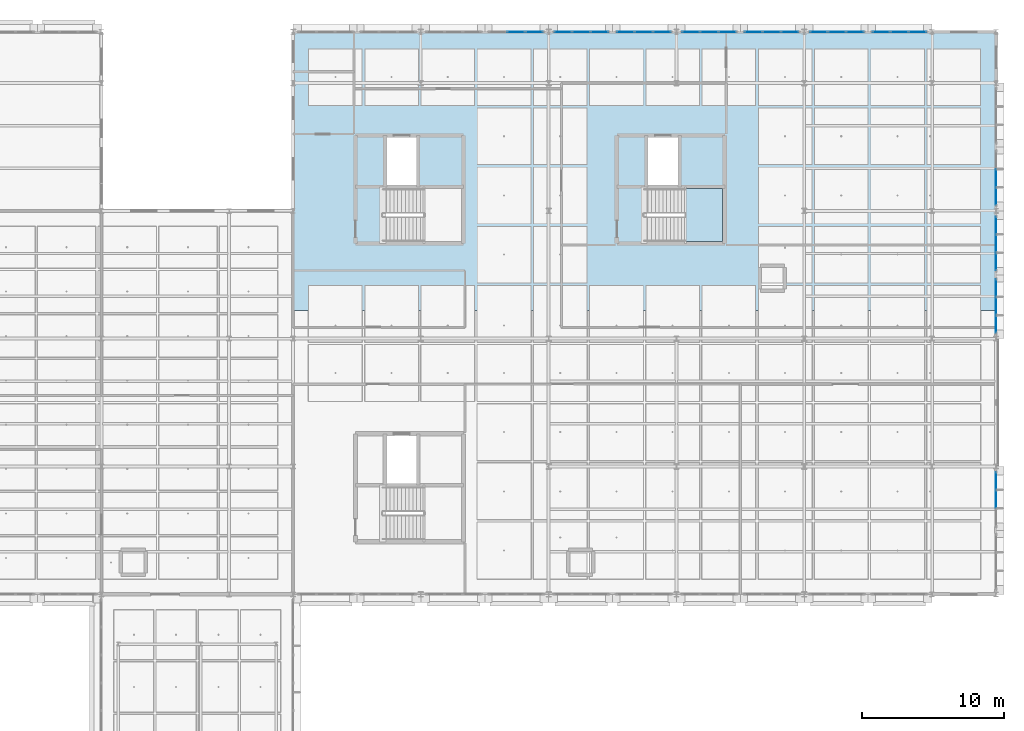
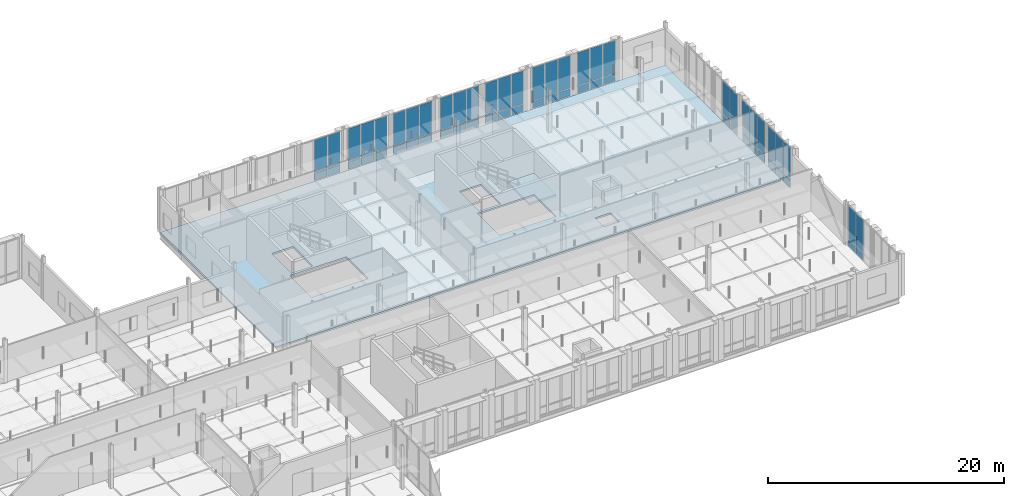
# One storey, part 61 of 130: 60 plates, 2 slabs, 12 elements without a shape of their own.
"""IFC4 building model written with IfcOpenShell, lengths in metres."""

from ifc_helpers import new_model, si_unit, direction, frame, origin, origin_2d, place, context, subcontext, project, spatial, polyline, rectangle, outline, extrude, material, layer, layer_set, type_object, element, aggregate, save


model = new_model("IFC4")

# Units and contexts
model_context = context("Model", 3, precision=1e-05, world=origin(), true_north=direction((0.0, 1.0)))
body_context = subcontext(model_context, "Body", "Model", "MODEL_VIEW")
ifc_project = project(units=[si_unit("LENGTHUNIT", "METRE"), si_unit("AREAUNIT", "SQUARE_METRE"), si_unit("VOLUMEUNIT", "CUBIC_METRE"), si_unit("PLANEANGLEUNIT", "RADIAN"), si_unit("MASSUNIT", "GRAM", prefix="KILO"), si_unit("THERMODYNAMICTEMPERATUREUNIT", "KELVIN"), si_unit("POWERUNIT", "WATT")], contexts=[model_context])

# Site, building, storey
site_placement = place(None, origin())
site = spatial("IfcSite", under=ifc_project, at=site_placement, CompositionType="ELEMENT")
building_placement = place(site_placement, origin())
building = spatial("IfcBuilding", under=site, at=building_placement, Name="Tallowbark Science Centre", CompositionType="ELEMENT")
storey_placement = place(building_placement, frame((0.0, 0.0, 5.39990234375)))
storey = spatial("IfcBuildingStorey", under=building, at=storey_placement, Name="L01", CompositionType="ELEMENT", Elevation=5.39990234375)

# Curtain wall, plates
ifc_material_1 = material(Name="Unitised Thermally Broken Aluminium and Low-E Double Glazing", Category="aluminium")
curtain_wall_type = type_object("IfcCurtainWallType", Name="CW-SYS-FACADE", PredefinedType="NOTDEFINED", material=ifc_material_1)
curtain_wall_1_placement = place(storey_placement, origin())
curtain_wall_1 = element("IfcCurtainWall", 1, at=curtain_wall_1_placement, inside=storey, type_object=curtain_wall_type, Name="Unitised Curtain Wall OBS-N-121A CW-L01-118", PredefinedType="NOTDEFINED")
ifc_material_2 = material(Name="Double Glazed Argon Low-E Vision Glass", Category="glass")
ifc_layer_1 = layer(ifc_material_2, 0.028076171875)
ifc_layer_set_1 = layer_set([ifc_layer_1], Name="Double Glazed Argon Low-E Vision Glass")
plate_type_1 = type_object("IfcPlateType", Name="CWP-GLZ-28", PredefinedType="CURTAIN_PANEL", material=ifc_layer_set_1)
plate_1_placement = place(storey_placement, frame((129.483642578125, 111.60009765625, 0.05517578125), z_axis=(0.0, 0.0, 1.0), x_axis=(-1.0, 0.0, 0.0)))
plate_1 = element("IfcPlate", 2, at=plate_1_placement, type_object=plate_type_1, Name="CW-01 panel 1.1", PredefinedType="CURTAIN_PANEL", context=body_context, shape_type="SweptSolid", body=[
    extrude(rectangle(XDim=1.202392578125, YDim=0.028076171875, at=origin_2d()), origin(), (0.0, 0.0, 1.0), 0.767578125),
])
plate_2_placement = place(storey_placement, frame((129.483642578125, 111.60009765625, 0.87744140625), z_axis=(0.0, 0.0, 1.0), x_axis=(-1.0, 0.0, 0.0)))
plate_2 = element("IfcPlate", 3, at=plate_2_placement, type_object=plate_type_1, Name="CW-01 panel 1.2", PredefinedType="CURTAIN_PANEL", context=body_context, shape_type="SweptSolid", body=[
    extrude(rectangle(XDim=1.202392578125, YDim=0.028076171875, at=origin_2d()), origin(), (0.0, 0.0, 1.0), 3.387451171875),
])
plate_3_placement = place(storey_placement, frame((128.199951171875, 111.60009765625, 0.05517578125), z_axis=(0.0, 0.0, 1.0), x_axis=(-1.0, 0.0, 0.0)))
plate_3 = element("IfcPlate", 4, at=plate_3_placement, type_object=plate_type_1, Name="CW-01 panel 2.1", PredefinedType="CURTAIN_PANEL", context=body_context, shape_type="SweptSolid", body=[
    extrude(rectangle(XDim=1.235107421875, YDim=0.028076171875, at=origin_2d()), origin(), (0.0, 0.0, 1.0), 0.767578125),
])
plate_4_placement = place(storey_placement, frame((128.199951171875, 111.60009765625, 0.87744140625), z_axis=(0.0, 0.0, 1.0), x_axis=(-1.0, 0.0, 0.0)))
plate_4 = element("IfcPlate", 5, at=plate_4_placement, type_object=plate_type_1, Name="CW-01 panel 2.2", PredefinedType="CURTAIN_PANEL", context=body_context, shape_type="SweptSolid", body=[
    extrude(rectangle(XDim=1.235107421875, YDim=0.028076171875, at=origin_2d()), origin(), (0.0, 0.0, 1.0), 3.387451171875),
])
aggregate(curtain_wall_1, [plate_1, plate_2, plate_3, plate_4])

curtain_wall_2_placement = place(storey_placement, origin())
curtain_wall_2 = element("IfcCurtainWall", 6, at=curtain_wall_2_placement, inside=storey, type_object=curtain_wall_type, Name="Unitised Curtain Wall OBS-N-130A CW-L01-122", PredefinedType="NOTDEFINED")
plate_5_placement = place(storey_placement, frame((138.483642578125, 111.60009765625, 0.05517578125), z_axis=(0.0, 0.0, 1.0), x_axis=(-1.0, 0.0, 0.0)))
plate_5 = element("IfcPlate", 7, at=plate_5_placement, type_object=plate_type_1, Name="CW-01 panel 1.1", PredefinedType="CURTAIN_PANEL", context=body_context, shape_type="SweptSolid", body=[
    extrude(rectangle(XDim=1.202392578125, YDim=0.028076171875, at=origin_2d()), origin(), (0.0, 0.0, 1.0), 0.767578125),
])
plate_6_placement = place(storey_placement, frame((138.483642578125, 111.60009765625, 0.87744140625), z_axis=(0.0, 0.0, 1.0), x_axis=(-1.0, 0.0, 0.0)))
plate_6 = element("IfcPlate", 8, at=plate_6_placement, type_object=plate_type_1, Name="CW-01 panel 1.2", PredefinedType="CURTAIN_PANEL", context=body_context, shape_type="SweptSolid", body=[
    extrude(rectangle(XDim=1.202392578125, YDim=0.028076171875, at=origin_2d()), origin(), (0.0, 0.0, 1.0), 3.387451171875),
])
plate_7_placement = place(storey_placement, frame((137.199951171875, 111.60009765625, 0.05517578125), z_axis=(0.0, 0.0, 1.0), x_axis=(-1.0, 0.0, 0.0)))
plate_7 = element("IfcPlate", 9, at=plate_7_placement, type_object=plate_type_1, Name="CW-01 panel 2.1", PredefinedType="CURTAIN_PANEL", context=body_context, shape_type="SweptSolid", body=[
    extrude(rectangle(XDim=1.235107421875, YDim=0.028076171875, at=origin_2d()), origin(), (0.0, 0.0, 1.0), 0.767578125),
])
plate_8_placement = place(storey_placement, frame((137.199951171875, 111.60009765625, 0.87744140625), z_axis=(0.0, 0.0, 1.0), x_axis=(-1.0, 0.0, 0.0)))
plate_8 = element("IfcPlate", 10, at=plate_8_placement, type_object=plate_type_1, Name="CW-01 panel 2.2", PredefinedType="CURTAIN_PANEL", context=body_context, shape_type="SweptSolid", body=[
    extrude(rectangle(XDim=1.235107421875, YDim=0.028076171875, at=origin_2d()), origin(), (0.0, 0.0, 1.0), 3.387451171875),
])
plate_9_placement = place(storey_placement, frame((135.916259765625, 111.60009765625, 0.05517578125), z_axis=(0.0, 0.0, 1.0), x_axis=(-1.0, 0.0, 0.0)))
plate_9 = element("IfcPlate", 11, at=plate_9_placement, type_object=plate_type_1, Name="CW-01 panel 3.1", PredefinedType="CURTAIN_PANEL", context=body_context, shape_type="SweptSolid", body=[
    extrude(rectangle(XDim=1.202392578125, YDim=0.028076171875, at=origin_2d()), origin(), (0.0, 0.0, 1.0), 0.767578125),
])
plate_10_placement = place(storey_placement, frame((135.916259765625, 111.60009765625, 0.87744140625), z_axis=(0.0, 0.0, 1.0), x_axis=(-1.0, 0.0, 0.0)))
plate_10 = element("IfcPlate", 12, at=plate_10_placement, type_object=plate_type_1, Name="CW-01 panel 3.2", PredefinedType="CURTAIN_PANEL", context=body_context, shape_type="SweptSolid", body=[
    extrude(rectangle(XDim=1.202392578125, YDim=0.028076171875, at=origin_2d()), origin(), (0.0, 0.0, 1.0), 3.387451171875),
])
aggregate(curtain_wall_2, [plate_5, plate_6, plate_7, plate_8, plate_9, plate_10])

curtain_wall_3_placement = place(storey_placement, origin())
curtain_wall_3 = element("IfcCurtainWall", 13, at=curtain_wall_3_placement, inside=storey, type_object=curtain_wall_type, Name="Unitised Curtain Wall OBS-N-139B CW-L01-127", PredefinedType="NOTDEFINED")
plate_11_placement = place(storey_placement, frame((143.083740234375, 111.60009765625, 0.05517578125), z_axis=(0.0, 0.0, 1.0), x_axis=(-1.0, 0.0, 0.0)))
plate_11 = element("IfcPlate", 14, at=plate_11_placement, type_object=plate_type_1, Name="CW-01 panel 1.1", PredefinedType="CURTAIN_PANEL", context=body_context, shape_type="SweptSolid", body=[
    extrude(rectangle(XDim=1.202392578125, YDim=0.028076171875, at=origin_2d()), origin(), (0.0, 0.0, 1.0), 0.767578125),
])
plate_12_placement = place(storey_placement, frame((143.083740234375, 111.60009765625, 0.87744140625), z_axis=(0.0, 0.0, 1.0), x_axis=(-1.0, 0.0, 0.0)))
plate_12 = element("IfcPlate", 15, at=plate_12_placement, type_object=plate_type_1, Name="CW-01 panel 1.2", PredefinedType="CURTAIN_PANEL", context=body_context, shape_type="SweptSolid", body=[
    extrude(rectangle(XDim=1.202392578125, YDim=0.028076171875, at=origin_2d()), origin(), (0.0, 0.0, 1.0), 3.387451171875),
])
plate_13_placement = place(storey_placement, frame((141.800048828125, 111.60009765625, 0.05517578125), z_axis=(0.0, 0.0, 1.0), x_axis=(-1.0, 0.0, 0.0)))
plate_13 = element("IfcPlate", 16, at=plate_13_placement, type_object=plate_type_1, Name="CW-01 panel 2.1", PredefinedType="CURTAIN_PANEL", context=body_context, shape_type="SweptSolid", body=[
    extrude(rectangle(XDim=1.235107421875, YDim=0.028076171875, at=origin_2d()), origin(), (0.0, 0.0, 1.0), 0.767578125),
])
plate_14_placement = place(storey_placement, frame((141.800048828125, 111.60009765625, 0.87744140625), z_axis=(0.0, 0.0, 1.0), x_axis=(-1.0, 0.0, 0.0)))
plate_14 = element("IfcPlate", 17, at=plate_14_placement, type_object=plate_type_1, Name="CW-01 panel 2.2", PredefinedType="CURTAIN_PANEL", context=body_context, shape_type="SweptSolid", body=[
    extrude(rectangle(XDim=1.235107421875, YDim=0.028076171875, at=origin_2d()), origin(), (0.0, 0.0, 1.0), 3.387451171875),
])
plate_15_placement = place(storey_placement, frame((140.516357421875, 111.60009765625, 0.05517578125), z_axis=(0.0, 0.0, 1.0), x_axis=(-1.0, 0.0, 0.0)))
plate_15 = element("IfcPlate", 18, at=plate_15_placement, type_object=plate_type_1, Name="CW-01 panel 3.1", PredefinedType="CURTAIN_PANEL", context=body_context, shape_type="SweptSolid", body=[
    extrude(rectangle(XDim=1.202392578125, YDim=0.028076171875, at=origin_2d()), origin(), (0.0, 0.0, 1.0), 0.767578125),
])
plate_16_placement = place(storey_placement, frame((140.516357421875, 111.60009765625, 0.87744140625), z_axis=(0.0, 0.0, 1.0), x_axis=(-1.0, 0.0, 0.0)))
plate_16 = element("IfcPlate", 19, at=plate_16_placement, type_object=plate_type_1, Name="CW-01 panel 3.2", PredefinedType="CURTAIN_PANEL", context=body_context, shape_type="SweptSolid", body=[
    extrude(rectangle(XDim=1.202392578125, YDim=0.028076171875, at=origin_2d()), origin(), (0.0, 0.0, 1.0), 3.387451171875),
])
aggregate(curtain_wall_3, [plate_11, plate_12, plate_13, plate_14, plate_15, plate_16])

curtain_wall_4_placement = place(storey_placement, origin())
curtain_wall_4 = element("IfcCurtainWall", 20, at=curtain_wall_4_placement, inside=storey, type_object=curtain_wall_type, Name="Unitised Curtain Wall OBS-N-148A CW-L01-130", PredefinedType="NOTDEFINED")
plate_17_placement = place(storey_placement, frame((156.483642578125, 111.60009765625, 0.05517578125), z_axis=(0.0, 0.0, 1.0), x_axis=(-1.0, 0.0, 0.0)))
plate_17 = element("IfcPlate", 21, at=plate_17_placement, type_object=plate_type_1, Name="CW-01 panel 1.1", PredefinedType="CURTAIN_PANEL", context=body_context, shape_type="SweptSolid", body=[
    extrude(rectangle(XDim=1.202392578125, YDim=0.028076171875, at=origin_2d()), origin(), (0.0, 0.0, 1.0), 0.767578125),
])
plate_18_placement = place(storey_placement, frame((156.483642578125, 111.60009765625, 0.87744140625), z_axis=(0.0, 0.0, 1.0), x_axis=(-1.0, 0.0, 0.0)))
plate_18 = element("IfcPlate", 22, at=plate_18_placement, type_object=plate_type_1, Name="CW-01 panel 1.2", PredefinedType="CURTAIN_PANEL", context=body_context, shape_type="SweptSolid", body=[
    extrude(rectangle(XDim=1.202392578125, YDim=0.028076171875, at=origin_2d()), origin(), (0.0, 0.0, 1.0), 3.387451171875),
])
plate_19_placement = place(storey_placement, frame((155.199951171875, 111.60009765625, 0.05517578125), z_axis=(0.0, 0.0, 1.0), x_axis=(-1.0, 0.0, 0.0)))
plate_19 = element("IfcPlate", 23, at=plate_19_placement, type_object=plate_type_1, Name="CW-01 panel 2.1", PredefinedType="CURTAIN_PANEL", context=body_context, shape_type="SweptSolid", body=[
    extrude(rectangle(XDim=1.235107421875, YDim=0.028076171875, at=origin_2d()), origin(), (0.0, 0.0, 1.0), 0.767578125),
])
plate_20_placement = place(storey_placement, frame((155.199951171875, 111.60009765625, 0.87744140625), z_axis=(0.0, 0.0, 1.0), x_axis=(-1.0, 0.0, 0.0)))
plate_20 = element("IfcPlate", 24, at=plate_20_placement, type_object=plate_type_1, Name="CW-01 panel 2.2", PredefinedType="CURTAIN_PANEL", context=body_context, shape_type="SweptSolid", body=[
    extrude(rectangle(XDim=1.235107421875, YDim=0.028076171875, at=origin_2d()), origin(), (0.0, 0.0, 1.0), 3.387451171875),
])
plate_21_placement = place(storey_placement, frame((153.916259765625, 111.60009765625, 0.05517578125), z_axis=(0.0, 0.0, 1.0), x_axis=(-1.0, 0.0, 0.0)))
plate_21 = element("IfcPlate", 25, at=plate_21_placement, type_object=plate_type_1, Name="CW-01 panel 3.1", PredefinedType="CURTAIN_PANEL", context=body_context, shape_type="SweptSolid", body=[
    extrude(rectangle(XDim=1.202392578125, YDim=0.028076171875, at=origin_2d()), origin(), (0.0, 0.0, 1.0), 0.767578125),
])
plate_22_placement = place(storey_placement, frame((153.916259765625, 111.60009765625, 0.87744140625), z_axis=(0.0, 0.0, 1.0), x_axis=(-1.0, 0.0, 0.0)))
plate_22 = element("IfcPlate", 26, at=plate_22_placement, type_object=plate_type_1, Name="CW-01 panel 3.2", PredefinedType="CURTAIN_PANEL", context=body_context, shape_type="SweptSolid", body=[
    extrude(rectangle(XDim=1.202392578125, YDim=0.028076171875, at=origin_2d()), origin(), (0.0, 0.0, 1.0), 3.387451171875),
])
aggregate(curtain_wall_4, [plate_17, plate_18, plate_19, plate_20, plate_21, plate_22])

curtain_wall_5_placement = place(storey_placement, origin())
curtain_wall_5 = element("IfcCurtainWall", 27, at=curtain_wall_5_placement, inside=storey, type_object=curtain_wall_type, Name="Unitised Curtain Wall OBS-N-148B CW-L01-131", PredefinedType="NOTDEFINED")
plate_23_placement = place(storey_placement, frame((152.083740234375, 111.60009765625, 0.05517578125), z_axis=(0.0, 0.0, 1.0), x_axis=(-1.0, 0.0, 0.0)))
plate_23 = element("IfcPlate", 28, at=plate_23_placement, type_object=plate_type_1, Name="CW-01 panel 1.1", PredefinedType="CURTAIN_PANEL", context=body_context, shape_type="SweptSolid", body=[
    extrude(rectangle(XDim=1.202392578125, YDim=0.028076171875, at=origin_2d()), origin(), (0.0, 0.0, 1.0), 0.767578125),
])
plate_24_placement = place(storey_placement, frame((152.083740234375, 111.60009765625, 0.87744140625), z_axis=(0.0, 0.0, 1.0), x_axis=(-1.0, 0.0, 0.0)))
plate_24 = element("IfcPlate", 29, at=plate_24_placement, type_object=plate_type_1, Name="CW-01 panel 1.2", PredefinedType="CURTAIN_PANEL", context=body_context, shape_type="SweptSolid", body=[
    extrude(rectangle(XDim=1.202392578125, YDim=0.028076171875, at=origin_2d()), origin(), (0.0, 0.0, 1.0), 3.387451171875),
])
plate_25_placement = place(storey_placement, frame((150.800048828125, 111.60009765625, 0.05517578125), z_axis=(0.0, 0.0, 1.0), x_axis=(-1.0, 0.0, 0.0)))
plate_25 = element("IfcPlate", 30, at=plate_25_placement, type_object=plate_type_1, Name="CW-01 panel 2.1", PredefinedType="CURTAIN_PANEL", context=body_context, shape_type="SweptSolid", body=[
    extrude(rectangle(XDim=1.235107421875, YDim=0.028076171875, at=origin_2d()), origin(), (0.0, 0.0, 1.0), 0.767578125),
])
plate_26_placement = place(storey_placement, frame((150.800048828125, 111.60009765625, 0.87744140625), z_axis=(0.0, 0.0, 1.0), x_axis=(-1.0, 0.0, 0.0)))
plate_26 = element("IfcPlate", 31, at=plate_26_placement, type_object=plate_type_1, Name="CW-01 panel 2.2", PredefinedType="CURTAIN_PANEL", context=body_context, shape_type="SweptSolid", body=[
    extrude(rectangle(XDim=1.235107421875, YDim=0.028076171875, at=origin_2d()), origin(), (0.0, 0.0, 1.0), 3.387451171875),
])
plate_27_placement = place(storey_placement, frame((149.516357421875, 111.60009765625, 0.05517578125), z_axis=(0.0, 0.0, 1.0), x_axis=(-1.0, 0.0, 0.0)))
plate_27 = element("IfcPlate", 32, at=plate_27_placement, type_object=plate_type_1, Name="CW-01 panel 3.1", PredefinedType="CURTAIN_PANEL", context=body_context, shape_type="SweptSolid", body=[
    extrude(rectangle(XDim=1.202392578125, YDim=0.028076171875, at=origin_2d()), origin(), (0.0, 0.0, 1.0), 0.767578125),
])
plate_28_placement = place(storey_placement, frame((149.516357421875, 111.60009765625, 0.87744140625), z_axis=(0.0, 0.0, 1.0), x_axis=(-1.0, 0.0, 0.0)))
plate_28 = element("IfcPlate", 33, at=plate_28_placement, type_object=plate_type_1, Name="CW-01 panel 3.2", PredefinedType="CURTAIN_PANEL", context=body_context, shape_type="SweptSolid", body=[
    extrude(rectangle(XDim=1.202392578125, YDim=0.028076171875, at=origin_2d()), origin(), (0.0, 0.0, 1.0), 3.387451171875),
])
aggregate(curtain_wall_5, [plate_23, plate_24, plate_25, plate_26, plate_27, plate_28])

curtain_wall_6_placement = place(storey_placement, origin())
curtain_wall_6 = element("IfcCurtainWall", 34, at=curtain_wall_6_placement, inside=storey, type_object=curtain_wall_type, Name="Unitised Curtain Wall OBS-E-72B CW-L01-133", PredefinedType="NOTDEFINED")
plate_29_placement = place(storey_placement, frame((162.0, 78.699951171875, 0.05517578125), z_axis=(0.0, 0.0, 1.0), x_axis=(0.0, 1.0, 0.0)))
plate_29 = element("IfcPlate", 35, at=plate_29_placement, type_object=plate_type_1, Name="CW-01 panel 2.1", PredefinedType="CURTAIN_PANEL", context=body_context, shape_type="SweptSolid", body=[
    extrude(rectangle(XDim=1.235107421875, YDim=0.028076171875, at=origin_2d()), origin(), (0.0, 0.0, 1.0), 0.767578125),
])
plate_30_placement = place(storey_placement, frame((162.0, 78.699951171875, 0.87744140625), z_axis=(0.0, 0.0, 1.0), x_axis=(0.0, 1.0, 0.0)))
plate_30 = element("IfcPlate", 36, at=plate_30_placement, type_object=plate_type_1, Name="CW-01 panel 2.2", PredefinedType="CURTAIN_PANEL", context=body_context, shape_type="SweptSolid", body=[
    extrude(rectangle(XDim=1.235107421875, YDim=0.028076171875, at=origin_2d()), origin(), (0.0, 0.0, 1.0), 3.387451171875),
])
plate_31_placement = place(storey_placement, frame((162.0, 79.983642578125, 0.05517578125), z_axis=(0.0, 0.0, 1.0), x_axis=(0.0, 1.0, 0.0)))
plate_31 = element("IfcPlate", 37, at=plate_31_placement, type_object=plate_type_1, Name="CW-01 panel 3.1", PredefinedType="CURTAIN_PANEL", context=body_context, shape_type="SweptSolid", body=[
    extrude(rectangle(XDim=1.202392578125, YDim=0.028076171875, at=origin_2d()), origin(), (0.0, 0.0, 1.0), 0.767578125),
])
plate_32_placement = place(storey_placement, frame((162.0, 79.983642578125, 0.87744140625), z_axis=(0.0, 0.0, 1.0), x_axis=(0.0, 1.0, 0.0)))
plate_32 = element("IfcPlate", 38, at=plate_32_placement, type_object=plate_type_1, Name="CW-01 panel 3.2", PredefinedType="CURTAIN_PANEL", context=body_context, shape_type="SweptSolid", body=[
    extrude(rectangle(XDim=1.202392578125, YDim=0.028076171875, at=origin_2d()), origin(), (0.0, 0.0, 1.0), 3.387451171875),
])
aggregate(curtain_wall_6, [plate_29, plate_30, plate_31, plate_32])

curtain_wall_7_placement = place(storey_placement, origin())
curtain_wall_7 = element("IfcCurtainWall", 39, at=curtain_wall_7_placement, inside=storey, type_object=curtain_wall_type, Name="Unitised Curtain Wall OBS-E-90A CW-L01-134", PredefinedType="NOTDEFINED")
plate_33_placement = place(storey_placement, frame((162.0, 91.016357421875, 0.05517578125), z_axis=(0.0, 0.0, 1.0), x_axis=(0.0, 1.0, 0.0)))
plate_33 = element("IfcPlate", 40, at=plate_33_placement, type_object=plate_type_1, Name="CW-01 panel 1.1", PredefinedType="CURTAIN_PANEL", context=body_context, shape_type="SweptSolid", body=[
    extrude(rectangle(XDim=1.202392578125, YDim=0.028076171875, at=origin_2d()), origin(), (0.0, 0.0, 1.0), 0.767578125),
])
plate_34_placement = place(storey_placement, frame((162.0, 91.016357421875, 0.87744140625), z_axis=(0.0, 0.0, 1.0), x_axis=(0.0, 1.0, 0.0)))
plate_34 = element("IfcPlate", 41, at=plate_34_placement, type_object=plate_type_1, Name="CW-01 panel 1.2", PredefinedType="CURTAIN_PANEL", context=body_context, shape_type="SweptSolid", body=[
    extrude(rectangle(XDim=1.202392578125, YDim=0.028076171875, at=origin_2d()), origin(), (0.0, 0.0, 1.0), 3.387451171875),
])
plate_35_placement = place(storey_placement, frame((162.0, 92.300048828125, 0.05517578125), z_axis=(0.0, 0.0, 1.0), x_axis=(0.0, 1.0, 0.0)))
plate_35 = element("IfcPlate", 42, at=plate_35_placement, type_object=plate_type_1, Name="CW-01 panel 2.1", PredefinedType="CURTAIN_PANEL", context=body_context, shape_type="SweptSolid", body=[
    extrude(rectangle(XDim=1.235107421875, YDim=0.028076171875, at=origin_2d()), origin(), (0.0, 0.0, 1.0), 0.767578125),
])
plate_36_placement = place(storey_placement, frame((162.0, 92.300048828125, 0.87744140625), z_axis=(0.0, 0.0, 1.0), x_axis=(0.0, 1.0, 0.0)))
plate_36 = element("IfcPlate", 43, at=plate_36_placement, type_object=plate_type_1, Name="CW-01 panel 2.2", PredefinedType="CURTAIN_PANEL", context=body_context, shape_type="SweptSolid", body=[
    extrude(rectangle(XDim=1.235107421875, YDim=0.028076171875, at=origin_2d()), origin(), (0.0, 0.0, 1.0), 3.387451171875),
])
plate_37_placement = place(storey_placement, frame((162.0, 93.583740234375, 0.05517578125), z_axis=(0.0, 0.0, 1.0), x_axis=(0.0, 1.0, 0.0)))
plate_37 = element("IfcPlate", 44, at=plate_37_placement, type_object=plate_type_1, Name="CW-01 panel 3.1", PredefinedType="CURTAIN_PANEL", context=body_context, shape_type="SweptSolid", body=[
    extrude(rectangle(XDim=1.202392578125, YDim=0.028076171875, at=origin_2d()), origin(), (0.0, 0.0, 1.0), 0.767578125),
])
plate_38_placement = place(storey_placement, frame((162.0, 93.583740234375, 0.87744140625), z_axis=(0.0, 0.0, 1.0), x_axis=(0.0, 1.0, 0.0)))
plate_38 = element("IfcPlate", 45, at=plate_38_placement, type_object=plate_type_1, Name="CW-01 panel 3.2", PredefinedType="CURTAIN_PANEL", context=body_context, shape_type="SweptSolid", body=[
    extrude(rectangle(XDim=1.202392578125, YDim=0.028076171875, at=origin_2d()), origin(), (0.0, 0.0, 1.0), 3.387451171875),
])
aggregate(curtain_wall_7, [plate_33, plate_34, plate_35, plate_36, plate_37, plate_38])

curtain_wall_8_placement = place(storey_placement, origin())
curtain_wall_8 = element("IfcCurtainWall", 46, at=curtain_wall_8_placement, inside=storey, type_object=curtain_wall_type, Name="Unitised Curtain Wall OBS-E-99A CW-L01-136", PredefinedType="NOTDEFINED")
plate_39_placement = place(storey_placement, frame((162.0, 100.016357421875, 0.05517578125), z_axis=(0.0, 0.0, 1.0), x_axis=(0.0, 1.0, 0.0)))
plate_39 = element("IfcPlate", 47, at=plate_39_placement, type_object=plate_type_1, Name="CW-01 panel 1.1", PredefinedType="CURTAIN_PANEL", context=body_context, shape_type="SweptSolid", body=[
    extrude(rectangle(XDim=1.202392578125, YDim=0.028076171875, at=origin_2d()), origin(), (0.0, 0.0, 1.0), 0.767578125),
])
plate_40_placement = place(storey_placement, frame((162.0, 100.016357421875, 0.87744140625), z_axis=(0.0, 0.0, 1.0), x_axis=(0.0, 1.0, 0.0)))
plate_40 = element("IfcPlate", 48, at=plate_40_placement, type_object=plate_type_1, Name="CW-01 panel 1.2", PredefinedType="CURTAIN_PANEL", context=body_context, shape_type="SweptSolid", body=[
    extrude(rectangle(XDim=1.202392578125, YDim=0.028076171875, at=origin_2d()), origin(), (0.0, 0.0, 1.0), 3.387451171875),
])
plate_41_placement = place(storey_placement, frame((162.0, 101.300048828125, 0.05517578125), z_axis=(0.0, 0.0, 1.0), x_axis=(0.0, 1.0, 0.0)))
plate_41 = element("IfcPlate", 49, at=plate_41_placement, type_object=plate_type_1, Name="CW-01 panel 2.1", PredefinedType="CURTAIN_PANEL", context=body_context, shape_type="SweptSolid", body=[
    extrude(rectangle(XDim=1.235107421875, YDim=0.028076171875, at=origin_2d()), origin(), (0.0, 0.0, 1.0), 0.767578125),
])
plate_42_placement = place(storey_placement, frame((162.0, 101.300048828125, 0.87744140625), z_axis=(0.0, 0.0, 1.0), x_axis=(0.0, 1.0, 0.0)))
plate_42 = element("IfcPlate", 50, at=plate_42_placement, type_object=plate_type_1, Name="CW-01 panel 2.2", PredefinedType="CURTAIN_PANEL", context=body_context, shape_type="SweptSolid", body=[
    extrude(rectangle(XDim=1.235107421875, YDim=0.028076171875, at=origin_2d()), origin(), (0.0, 0.0, 1.0), 3.387451171875),
])
aggregate(curtain_wall_8, [plate_39, plate_40, plate_41, plate_42])

curtain_wall_9_placement = place(storey_placement, origin())
curtain_wall_9 = element("IfcCurtainWall", 51, at=curtain_wall_9_placement, inside=storey, type_object=curtain_wall_type, Name="Unitised Curtain Wall OBS-N-130B CW-L01-123", PredefinedType="NOTDEFINED")
ifc_material_3 = material(Name="Ceramic-Fritted Insulated Glass Spandrel Panel", Category="glass")
ifc_layer_2 = layer(ifc_material_3, 0.031982421875)
ifc_layer_set_2 = layer_set([ifc_layer_2], Name="Ceramic-Fritted Insulated Glass Spandrel Panel")
plate_type_2 = type_object("IfcPlateType", Name="CWP-SPN-32", PredefinedType="CURTAIN_PANEL", material=ifc_layer_set_2)
plate_43_placement = place(storey_placement, frame((134.083740234375, 111.60009765625, 0.05517578125), z_axis=(0.0, 0.0, 1.0), x_axis=(-1.0, 0.0, 0.0)))
plate_43 = element("IfcPlate", 52, at=plate_43_placement, type_object=plate_type_2, Name="CW-01 panel 1.1", PredefinedType="CURTAIN_PANEL", context=body_context, shape_type="SweptSolid", body=[
    extrude(rectangle(XDim=1.202392578125, YDim=0.031982421875, at=origin_2d()), origin(), (0.0, 0.0, 1.0), 0.767578125),
])
plate_44_placement = place(storey_placement, frame((134.083740234375, 111.60009765625, 0.87744140625), z_axis=(0.0, 0.0, 1.0), x_axis=(-1.0, 0.0, 0.0)))
plate_44 = element("IfcPlate", 53, at=plate_44_placement, type_object=plate_type_2, Name="CW-01 panel 1.2", PredefinedType="CURTAIN_PANEL", context=body_context, shape_type="SweptSolid", body=[
    extrude(rectangle(XDim=1.202392578125, YDim=0.031982421875, at=origin_2d()), origin(), (0.0, 0.0, 1.0), 3.387451171875),
])
plate_45_placement = place(storey_placement, frame((132.800048828125, 111.60009765625, 0.05517578125), z_axis=(0.0, 0.0, 1.0), x_axis=(-1.0, 0.0, 0.0)))
plate_45 = element("IfcPlate", 54, at=plate_45_placement, type_object=plate_type_2, Name="CW-01 panel 2.1", PredefinedType="CURTAIN_PANEL", context=body_context, shape_type="SweptSolid", body=[
    extrude(rectangle(XDim=1.235107421875, YDim=0.031982421875, at=origin_2d()), origin(), (0.0, 0.0, 1.0), 0.767578125),
])
plate_46_placement = place(storey_placement, frame((132.800048828125, 111.60009765625, 0.87744140625), z_axis=(0.0, 0.0, 1.0), x_axis=(-1.0, 0.0, 0.0)))
plate_46 = element("IfcPlate", 55, at=plate_46_placement, type_object=plate_type_2, Name="CW-01 panel 2.2", PredefinedType="CURTAIN_PANEL", context=body_context, shape_type="SweptSolid", body=[
    extrude(rectangle(XDim=1.235107421875, YDim=0.031982421875, at=origin_2d()), origin(), (0.0, 0.0, 1.0), 3.387451171875),
])
plate_47_placement = place(storey_placement, frame((131.516357421875, 111.60009765625, 0.05517578125), z_axis=(0.0, 0.0, 1.0), x_axis=(-1.0, 0.0, 0.0)))
plate_47 = element("IfcPlate", 56, at=plate_47_placement, type_object=plate_type_2, Name="CW-01 panel 3.1", PredefinedType="CURTAIN_PANEL", context=body_context, shape_type="SweptSolid", body=[
    extrude(rectangle(XDim=1.202392578125, YDim=0.031982421875, at=origin_2d()), origin(), (0.0, 0.0, 1.0), 0.767578125),
])
plate_48_placement = place(storey_placement, frame((131.516357421875, 111.60009765625, 0.87744140625), z_axis=(0.0, 0.0, 1.0), x_axis=(-1.0, 0.0, 0.0)))
plate_48 = element("IfcPlate", 57, at=plate_48_placement, type_object=plate_type_2, Name="CW-01 panel 3.2", PredefinedType="CURTAIN_PANEL", context=body_context, shape_type="SweptSolid", body=[
    extrude(rectangle(XDim=1.202392578125, YDim=0.031982421875, at=origin_2d()), origin(), (0.0, 0.0, 1.0), 3.387451171875),
])
aggregate(curtain_wall_9, [plate_43, plate_44, plate_45, plate_46, plate_47, plate_48])

curtain_wall_10_placement = place(storey_placement, origin())
curtain_wall_10 = element("IfcCurtainWall", 58, at=curtain_wall_10_placement, inside=storey, type_object=curtain_wall_type, Name="Unitised Curtain Wall OBS-N-139A CW-L01-126", PredefinedType="NOTDEFINED")
plate_49_placement = place(storey_placement, frame((147.483642578125, 111.60009765625, 0.05517578125), z_axis=(0.0, 0.0, 1.0), x_axis=(-1.0, 0.0, 0.0)))
plate_49 = element("IfcPlate", 59, at=plate_49_placement, type_object=plate_type_2, Name="CW-01 panel 1.1", PredefinedType="CURTAIN_PANEL", context=body_context, shape_type="SweptSolid", body=[
    extrude(rectangle(XDim=1.202392578125, YDim=0.031982421875, at=origin_2d()), origin(), (0.0, 0.0, 1.0), 0.767578125),
])
plate_50_placement = place(storey_placement, frame((147.483642578125, 111.60009765625, 0.87744140625), z_axis=(0.0, 0.0, 1.0), x_axis=(-1.0, 0.0, 0.0)))
plate_50 = element("IfcPlate", 60, at=plate_50_placement, type_object=plate_type_2, Name="CW-01 panel 1.2", PredefinedType="CURTAIN_PANEL", context=body_context, shape_type="SweptSolid", body=[
    extrude(rectangle(XDim=1.202392578125, YDim=0.031982421875, at=origin_2d()), origin(), (0.0, 0.0, 1.0), 3.387451171875),
])
plate_51_placement = place(storey_placement, frame((146.199951171875, 111.60009765625, 0.05517578125), z_axis=(0.0, 0.0, 1.0), x_axis=(-1.0, 0.0, 0.0)))
plate_51 = element("IfcPlate", 61, at=plate_51_placement, type_object=plate_type_2, Name="CW-01 panel 2.1", PredefinedType="CURTAIN_PANEL", context=body_context, shape_type="SweptSolid", body=[
    extrude(rectangle(XDim=1.235107421875, YDim=0.031982421875, at=origin_2d()), origin(), (0.0, 0.0, 1.0), 0.767578125),
])
plate_52_placement = place(storey_placement, frame((146.199951171875, 111.60009765625, 0.87744140625), z_axis=(0.0, 0.0, 1.0), x_axis=(-1.0, 0.0, 0.0)))
plate_52 = element("IfcPlate", 62, at=plate_52_placement, type_object=plate_type_2, Name="CW-01 panel 2.2", PredefinedType="CURTAIN_PANEL", context=body_context, shape_type="SweptSolid", body=[
    extrude(rectangle(XDim=1.235107421875, YDim=0.031982421875, at=origin_2d()), origin(), (0.0, 0.0, 1.0), 3.387451171875),
])
plate_53_placement = place(storey_placement, frame((144.916259765625, 111.60009765625, 0.05517578125), z_axis=(0.0, 0.0, 1.0), x_axis=(-1.0, 0.0, 0.0)))
plate_53 = element("IfcPlate", 63, at=plate_53_placement, type_object=plate_type_2, Name="CW-01 panel 3.1", PredefinedType="CURTAIN_PANEL", context=body_context, shape_type="SweptSolid", body=[
    extrude(rectangle(XDim=1.202392578125, YDim=0.031982421875, at=origin_2d()), origin(), (0.0, 0.0, 1.0), 0.767578125),
])
plate_54_placement = place(storey_placement, frame((144.916259765625, 111.60009765625, 0.87744140625), z_axis=(0.0, 0.0, 1.0), x_axis=(-1.0, 0.0, 0.0)))
plate_54 = element("IfcPlate", 64, at=plate_54_placement, type_object=plate_type_2, Name="CW-01 panel 3.2", PredefinedType="CURTAIN_PANEL", context=body_context, shape_type="SweptSolid", body=[
    extrude(rectangle(XDim=1.202392578125, YDim=0.031982421875, at=origin_2d()), origin(), (0.0, 0.0, 1.0), 3.387451171875),
])
aggregate(curtain_wall_10, [plate_49, plate_50, plate_51, plate_52, plate_53, plate_54])

curtain_wall_11_placement = place(storey_placement, origin())
curtain_wall_11 = element("IfcCurtainWall", 65, at=curtain_wall_11_placement, inside=storey, type_object=curtain_wall_type, Name="Unitised Curtain Wall OBS-E-90B CW-L01-135", PredefinedType="NOTDEFINED")
plate_55_placement = place(storey_placement, frame((162.0, 95.416259765625, 0.05517578125), z_axis=(0.0, 0.0, 1.0), x_axis=(0.0, 1.0, 0.0)))
plate_55 = element("IfcPlate", 66, at=plate_55_placement, type_object=plate_type_2, Name="CW-01 panel 1.1", PredefinedType="CURTAIN_PANEL", context=body_context, shape_type="SweptSolid", body=[
    extrude(rectangle(XDim=1.202392578125, YDim=0.031982421875, at=origin_2d()), origin(), (0.0, 0.0, 1.0), 0.767578125),
])
plate_56_placement = place(storey_placement, frame((162.0, 95.416259765625, 0.87744140625), z_axis=(0.0, 0.0, 1.0), x_axis=(0.0, 1.0, 0.0)))
plate_56 = element("IfcPlate", 67, at=plate_56_placement, type_object=plate_type_2, Name="CW-01 panel 1.2", PredefinedType="CURTAIN_PANEL", context=body_context, shape_type="SweptSolid", body=[
    extrude(rectangle(XDim=1.202392578125, YDim=0.031982421875, at=origin_2d()), origin(), (0.0, 0.0, 1.0), 3.387451171875),
])
plate_57_placement = place(storey_placement, frame((162.0, 96.699951171875, 0.05517578125), z_axis=(0.0, 0.0, 1.0), x_axis=(0.0, 1.0, 0.0)))
plate_57 = element("IfcPlate", 68, at=plate_57_placement, type_object=plate_type_2, Name="CW-01 panel 2.1", PredefinedType="CURTAIN_PANEL", context=body_context, shape_type="SweptSolid", body=[
    extrude(rectangle(XDim=1.235107421875, YDim=0.031982421875, at=origin_2d()), origin(), (0.0, 0.0, 1.0), 0.767578125),
])
plate_58_placement = place(storey_placement, frame((162.0, 96.699951171875, 0.87744140625), z_axis=(0.0, 0.0, 1.0), x_axis=(0.0, 1.0, 0.0)))
plate_58 = element("IfcPlate", 69, at=plate_58_placement, type_object=plate_type_2, Name="CW-01 panel 2.2", PredefinedType="CURTAIN_PANEL", context=body_context, shape_type="SweptSolid", body=[
    extrude(rectangle(XDim=1.235107421875, YDim=0.031982421875, at=origin_2d()), origin(), (0.0, 0.0, 1.0), 3.387451171875),
])
plate_59_placement = place(storey_placement, frame((162.0, 97.983642578125, 0.05517578125), z_axis=(0.0, 0.0, 1.0), x_axis=(0.0, 1.0, 0.0)))
plate_59 = element("IfcPlate", 70, at=plate_59_placement, type_object=plate_type_2, Name="CW-01 panel 3.1", PredefinedType="CURTAIN_PANEL", context=body_context, shape_type="SweptSolid", body=[
    extrude(rectangle(XDim=1.202392578125, YDim=0.031982421875, at=origin_2d()), origin(), (0.0, 0.0, 1.0), 0.767578125),
])
plate_60_placement = place(storey_placement, frame((162.0, 97.983642578125, 0.87744140625), z_axis=(0.0, 0.0, 1.0), x_axis=(0.0, 1.0, 0.0)))
plate_60 = element("IfcPlate", 71, at=plate_60_placement, type_object=plate_type_2, Name="CW-01 panel 3.2", PredefinedType="CURTAIN_PANEL", context=body_context, shape_type="SweptSolid", body=[
    extrude(rectangle(XDim=1.202392578125, YDim=0.031982421875, at=origin_2d()), origin(), (0.0, 0.0, 1.0), 3.387451171875),
])
aggregate(curtain_wall_11, [plate_55, plate_56, plate_57, plate_58, plate_59, plate_60])

# Slab
ifc_material_4 = material(Name="Concrete Grade N40 (40 MPa)", Category="concrete")
ifc_layer_3 = layer(ifc_material_4, 0.179931640625)
ifc_layer_set_3 = layer_set([ifc_layer_3], Name="Concrete Grade N40 (40 MPa)")
slab_type_1 = type_object("IfcSlabType", Name="SLB-FLR-180", PredefinedType="FLOOR", material=ifc_layer_set_3)
slab_1_placement = place(storey_placement, frame((0.0, 0.0, -0.179931640625)))
element("IfcSlab", 72, at=slab_1_placement, inside=storey, type_object=slab_type_1, Name="Astronomy Wing North Slab L01 SLB-OBS-N-L01", PredefinedType="FLOOR", context=body_context, shape_type="SweptSolid", body=[
    extrude(outline(polyline([(112.52490234375, 92.0), (162.0, 92.0), (162.0, 111.60009765625), (112.52490234375, 111.60009765625), (112.52490234375, 92.0)]), holes=[polyline([(137.2099609375, 96.85009765625), (142.75, 96.85009765625), (142.75, 100.570068359375), (137.2099609375, 100.570068359375), (137.2099609375, 96.85009765625)]), polyline([(118.81005859375, 96.85009765625), (124.35009765625, 96.85009765625), (124.35009765625, 100.570068359375), (118.81005859375, 100.570068359375), (118.81005859375, 96.85009765625)]), polyline([(137.5, 100.820068359375), (139.60009765625, 100.820068359375), (139.60009765625, 104.14990234375), (137.5, 104.14990234375), (137.5, 100.820068359375)]), polyline([(119.10009765625, 100.820068359375), (121.199951171875, 100.820068359375), (121.199951171875, 104.14990234375), (119.10009765625, 104.14990234375), (119.10009765625, 100.820068359375)]), polyline([(145.5, 93.5), (147.0, 93.5), (147.0, 95.0), (145.5, 95.0), (145.5, 93.5)])]), origin(), (0.0, 0.0, 1.0), 0.179931640625),
])

# Stair, slab
stair_type = type_object("IfcStairType", Name="STR-C4", PredefinedType="HALF_TURN_STAIR", material=ifc_material_4)
stair_placement = place(storey_placement, origin())
stair = element("IfcStair", 73, at=stair_placement, inside=storey, type_object=stair_type, Name="L01 Fire Stair ST-04", PredefinedType="HALF_TURN_STAIR")
ifc_layer_4 = layer(ifc_material_4, 0.199951171875)
ifc_layer_set_4 = layer_set([ifc_layer_4], Name="Concrete Grade N40 (40 MPa)")
slab_type_2 = type_object("IfcSlabType", Name="SLB-LND-200", PredefinedType="LANDING", material=ifc_layer_set_4)
slab_2_placement = place(storey_placement, frame((0.0, 0.0, 2.050048828125)))
slab_2 = element("IfcSlab", 74, at=slab_2_placement, type_object=slab_type_2, Name="ST-04 landing 1", PredefinedType="LANDING", context=body_context, shape_type="SweptSolid", body=[
    extrude(outline(polyline([(140.125, 96.85009765625), (142.75, 96.85009765625), (142.75, 100.570068359375), (140.125, 100.570068359375), (140.125, 96.85009765625)])), origin(), (0.0, 0.0, 1.0), 0.199951171875),
])
aggregate(stair, [slab_2])

save(model, "model.ifc")
